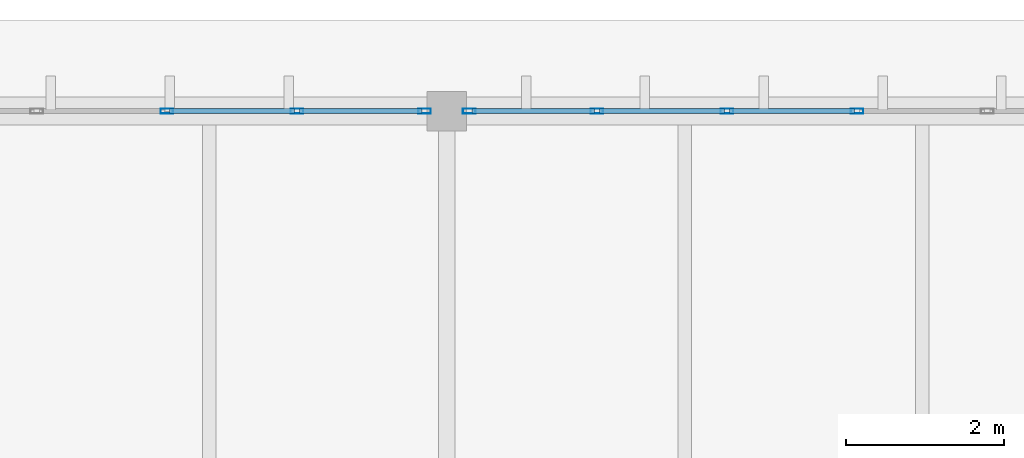
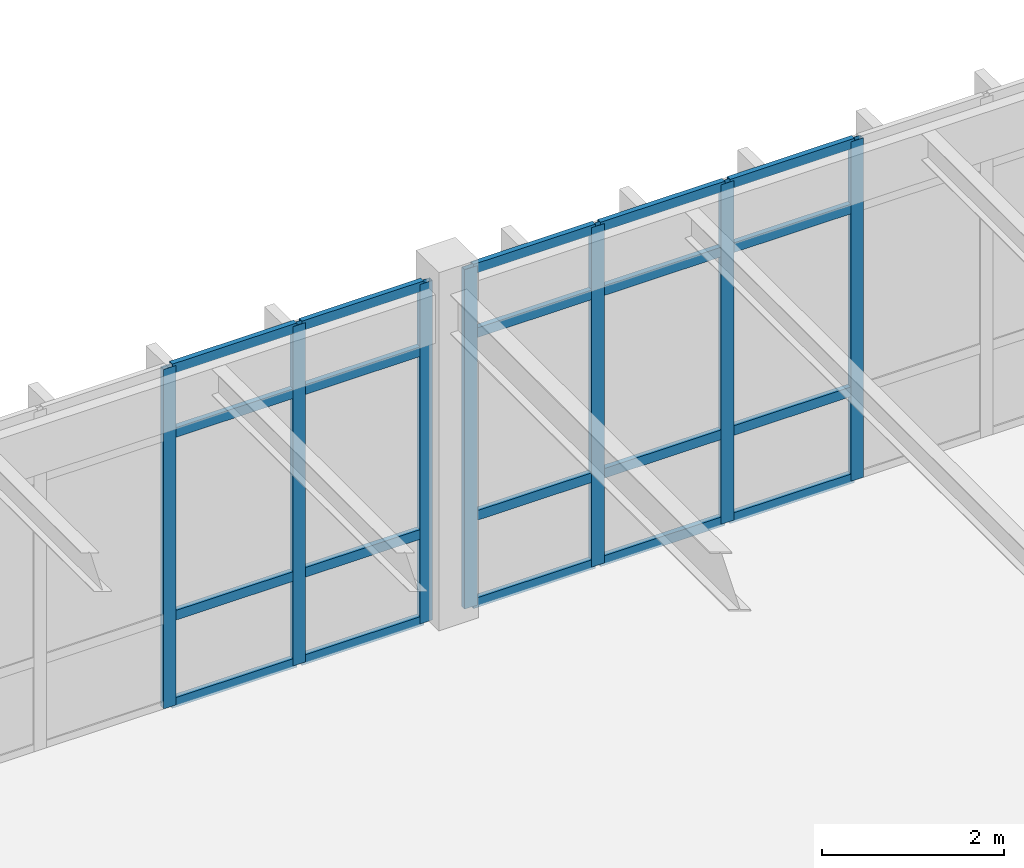
# One storey, part 178 of 236: 27 members, 2 elements without a shape of their own.
"""IFC4 building model written with IfcOpenShell, lengths in metres."""

from ifc_helpers import new_model, si_unit, direction, frame, origin, origin_2d, place, context, subcontext, project, spatial, hollow_rectangle, extrude, material, layer, layer_set, material_profile, profile_set, type_object, element, aggregate, save


model = new_model("IFC4")

# Units and contexts
model_context = context("Model", 3, precision=1e-05, world=origin(), true_north=direction((0.0, 1.0)))
body_context = subcontext(model_context, "Body", "Model", "MODEL_VIEW")
ifc_project = project(units=[si_unit("LENGTHUNIT", "METRE"), si_unit("AREAUNIT", "SQUARE_METRE"), si_unit("VOLUMEUNIT", "CUBIC_METRE"), si_unit("PLANEANGLEUNIT", "RADIAN"), si_unit("MASSUNIT", "GRAM", prefix="KILO")], contexts=[model_context])

# Site, building, storey
site_placement = place(None, origin())
site = spatial("IfcSite", under=ifc_project, at=site_placement, CompositionType="ELEMENT")
building_placement = place(site_placement, origin())
building = spatial("IfcBuilding", under=site, at=building_placement, Name="Pandanus Reach Market Hall", CompositionType="ELEMENT")
storey_placement = place(building_placement, frame((0.0, 0.0, 5.39990234375)))
storey = spatial("IfcBuildingStorey", under=building, at=storey_placement, Name="L01", CompositionType="ELEMENT", Elevation=5.39990234375)

# Curtain wall, members
ifc_material_1 = material(Name="Bronze anodised aluminium and low-E glass", Category="aluminium")
ifc_layer = layer(ifc_material_1, 0.159912109375, Name="CW-39")
ifc_layer_set = layer_set([ifc_layer], Name="Bronze anodised aluminium and low-E glass")
curtain_wall_type = type_object("IfcCurtainWallType", Name="CW-39", PredefinedType="NOTDEFINED", material=ifc_layer_set)
curtain_wall_1_placement = place(storey_placement, origin())
curtain_wall_1 = element("IfcCurtainWall", 1, at=curtain_wall_1_placement, inside=storey, type_object=curtain_wall_type, Name="Glazed curtain wall CW-39 CW-0144", PredefinedType="NOTDEFINED")
ifc_material_2 = material(Name="Bronze anodised aluminium", Category="aluminium")
ifc_material_profile_1 = material_profile(ifc_material_2, hollow_rectangle(XDim=0.06494140625, YDim=0.159912109375, WallThickness=0.00390625, at=origin_2d()), Name="ALU65x160", Category="LoadBearing")
ifc_profile_set_1 = profile_set([ifc_material_profile_1], Name="Bronze anodised aluminium")
member_type_1 = type_object("IfcMemberType", Name="CW-M1", PredefinedType="MULLION", material=ifc_profile_set_1)
member_1_placement = place(storey_placement, frame((128.46435546875, 120.0, 0.0), z_axis=(0.0, 0.0, 1.0), x_axis=(0.0, 1.0, 0.0)))
member_1 = element("IfcMember", 2, at=member_1_placement, type_object=member_type_1, Name="CW-39 mullion 6", PredefinedType="MULLION", context=body_context, shape_type="SweptSolid", body=[
    extrude(hollow_rectangle(XDim=0.06494140625, YDim=0.159912109375, WallThickness=0.00390625, at=origin_2d()), origin(), (0.0, 0.0, 1.0), 4.550048828125),
])
member_2_placement = place(storey_placement, frame((130.107177734375, 120.0, 0.0), z_axis=(0.0, 0.0, 1.0), x_axis=(0.0, 1.0, 0.0)))
member_2 = element("IfcMember", 3, at=member_2_placement, type_object=member_type_1, Name="CW-39 mullion 7", PredefinedType="MULLION", context=body_context, shape_type="SweptSolid", body=[
    extrude(hollow_rectangle(XDim=0.06494140625, YDim=0.159912109375, WallThickness=0.00390625, at=origin_2d()), origin(), (0.0, 0.0, 1.0), 4.550048828125),
])
member_3_placement = place(storey_placement, frame((131.717529296875, 120.0, 0.0), z_axis=(0.0, 0.0, 1.0), x_axis=(0.0, 1.0, 0.0)))
member_3 = element("IfcMember", 4, at=member_3_placement, type_object=member_type_1, Name="CW-39 mullion 8", PredefinedType="MULLION", context=body_context, shape_type="SweptSolid", body=[
    extrude(hollow_rectangle(XDim=0.06494140625, YDim=0.159912109375, WallThickness=0.00390625, at=origin_2d()), origin(), (0.0, 0.0, 1.0), 4.550048828125),
])

curtain_wall_2_placement = place(storey_placement, origin())
curtain_wall_2 = element("IfcCurtainWall", 5, at=curtain_wall_2_placement, inside=storey, type_object=curtain_wall_type, Name="Glazed curtain wall CW-39 CW-0146", PredefinedType="NOTDEFINED")
member_4_placement = place(storey_placement, frame((132.282470703125, 120.0, 0.0), z_axis=(0.0, 0.0, 1.0), x_axis=(0.0, 1.0, 0.0)))
member_4 = element("IfcMember", 6, at=member_4_placement, type_object=member_type_1, Name="CW-39 mullion 1", PredefinedType="MULLION", context=body_context, shape_type="SweptSolid", body=[
    extrude(hollow_rectangle(XDim=0.06494140625, YDim=0.159912109375, WallThickness=0.00390625, at=origin_2d()), origin(), (0.0, 0.0, 1.0), 4.550048828125),
])
member_5_placement = place(storey_placement, frame((133.892822265625, 120.0, 0.0), z_axis=(0.0, 0.0, 1.0), x_axis=(0.0, 1.0, 0.0)))
member_5 = element("IfcMember", 7, at=member_5_placement, type_object=member_type_1, Name="CW-39 mullion 2", PredefinedType="MULLION", context=body_context, shape_type="SweptSolid", body=[
    extrude(hollow_rectangle(XDim=0.06494140625, YDim=0.159912109375, WallThickness=0.00390625, at=origin_2d()), origin(), (0.0, 0.0, 1.0), 4.550048828125),
])
member_6_placement = place(storey_placement, frame((135.53564453125, 120.0, 0.0), z_axis=(0.0, 0.0, 1.0), x_axis=(0.0, 1.0, 0.0)))
member_6 = element("IfcMember", 8, at=member_6_placement, type_object=member_type_1, Name="CW-39 mullion 3", PredefinedType="MULLION", context=body_context, shape_type="SweptSolid", body=[
    extrude(hollow_rectangle(XDim=0.06494140625, YDim=0.159912109375, WallThickness=0.00390625, at=origin_2d()), origin(), (0.0, 0.0, 1.0), 4.550048828125),
])
member_7_placement = place(storey_placement, frame((137.178466796875, 120.0, 0.0), z_axis=(0.0, 0.0, 1.0), x_axis=(0.0, 1.0, 0.0)))
member_7 = element("IfcMember", 9, at=member_7_placement, type_object=member_type_1, Name="CW-39 mullion 4", PredefinedType="MULLION", context=body_context, shape_type="SweptSolid", body=[
    extrude(hollow_rectangle(XDim=0.06494140625, YDim=0.159912109375, WallThickness=0.00390625, at=origin_2d()), origin(), (0.0, 0.0, 1.0), 4.550048828125),
])

# Member
ifc_material_profile_2 = material_profile(ifc_material_2, hollow_rectangle(XDim=0.06494140625, YDim=0.1298828125, WallThickness=0.00390625, at=origin_2d()), Name="ALU65x130", Category="LoadBearing")
ifc_profile_set_2 = profile_set([ifc_material_profile_2], Name="Bronze anodised aluminium")
member_type_2 = type_object("IfcMemberType", Name="CW-T1", PredefinedType="USERDEFINED", material=ifc_profile_set_2)
member_8_placement = place(storey_placement, frame((128.496826171875, 120.0, 0.03271484375), z_axis=(1.0, 0.0, 0.0), x_axis=(0.0, 1.0, 0.0)))
member_8 = element("IfcMember", 10, at=member_8_placement, type_object=member_type_2, Name="CW-39 transom 6.1", ObjectType="TRANSOM", PredefinedType="USERDEFINED", context=body_context, shape_type="SweptSolid", body=[
    extrude(hollow_rectangle(XDim=0.06494140625, YDim=0.1298828125, WallThickness=0.00390625, at=origin_2d()), origin(), (0.0, 0.0, 1.0), 1.577880859375),
])

member_9_placement = place(storey_placement, frame((128.496826171875, 120.0, 1.2001953125), z_axis=(1.0, 0.0, 0.0), x_axis=(0.0, 1.0, 0.0)))
member_9 = element("IfcMember", 11, at=member_9_placement, type_object=member_type_2, Name="CW-39 transom 6.2", ObjectType="TRANSOM", PredefinedType="USERDEFINED", context=body_context, shape_type="SweptSolid", body=[
    extrude(hollow_rectangle(XDim=0.06494140625, YDim=0.1298828125, WallThickness=0.00390625, at=origin_2d()), origin(), (0.0, 0.0, 1.0), 1.577880859375),
])

member_10_placement = place(storey_placement, frame((128.496826171875, 120.0, 3.650146484375), z_axis=(1.0, 0.0, 0.0), x_axis=(0.0, 1.0, 0.0)))
member_10 = element("IfcMember", 12, at=member_10_placement, type_object=member_type_2, Name="CW-39 transom 6.3", ObjectType="TRANSOM", PredefinedType="USERDEFINED", context=body_context, shape_type="SweptSolid", body=[
    extrude(hollow_rectangle(XDim=0.06494140625, YDim=0.1298828125, WallThickness=0.00390625, at=origin_2d()), origin(), (0.0, 0.0, 1.0), 1.577880859375),
])

member_11_placement = place(storey_placement, frame((128.496826171875, 120.0, 4.517578125), z_axis=(1.0, 0.0, 0.0), x_axis=(0.0, 1.0, 0.0)))
member_11 = element("IfcMember", 13, at=member_11_placement, type_object=member_type_2, Name="CW-39 transom 6.4", ObjectType="TRANSOM", PredefinedType="USERDEFINED", context=body_context, shape_type="SweptSolid", body=[
    extrude(hollow_rectangle(XDim=0.06494140625, YDim=0.1298828125, WallThickness=0.00390625, at=origin_2d()), origin(), (0.0, 0.0, 1.0), 1.577880859375),
])

member_12_placement = place(storey_placement, frame((130.1396484375, 120.0, 0.03271484375), z_axis=(1.0, 0.0, 0.0), x_axis=(0.0, 1.0, 0.0)))
member_12 = element("IfcMember", 14, at=member_12_placement, type_object=member_type_2, Name="CW-39 transom 7.1", ObjectType="TRANSOM", PredefinedType="USERDEFINED", context=body_context, shape_type="SweptSolid", body=[
    extrude(hollow_rectangle(XDim=0.06494140625, YDim=0.1298828125, WallThickness=0.00390625, at=origin_2d()), origin(), (0.0, 0.0, 1.0), 1.54541015625),
])

member_13_placement = place(storey_placement, frame((130.1396484375, 120.0, 1.2001953125), z_axis=(1.0, 0.0, 0.0), x_axis=(0.0, 1.0, 0.0)))
member_13 = element("IfcMember", 15, at=member_13_placement, type_object=member_type_2, Name="CW-39 transom 7.2", ObjectType="TRANSOM", PredefinedType="USERDEFINED", context=body_context, shape_type="SweptSolid", body=[
    extrude(hollow_rectangle(XDim=0.06494140625, YDim=0.1298828125, WallThickness=0.00390625, at=origin_2d()), origin(), (0.0, 0.0, 1.0), 1.54541015625),
])

member_14_placement = place(storey_placement, frame((130.1396484375, 120.0, 3.650146484375), z_axis=(1.0, 0.0, 0.0), x_axis=(0.0, 1.0, 0.0)))
member_14 = element("IfcMember", 16, at=member_14_placement, type_object=member_type_2, Name="CW-39 transom 7.3", ObjectType="TRANSOM", PredefinedType="USERDEFINED", context=body_context, shape_type="SweptSolid", body=[
    extrude(hollow_rectangle(XDim=0.06494140625, YDim=0.1298828125, WallThickness=0.00390625, at=origin_2d()), origin(), (0.0, 0.0, 1.0), 1.54541015625),
])

member_15_placement = place(storey_placement, frame((130.1396484375, 120.0, 4.517578125), z_axis=(1.0, 0.0, 0.0), x_axis=(0.0, 1.0, 0.0)))
member_15 = element("IfcMember", 17, at=member_15_placement, type_object=member_type_2, Name="CW-39 transom 7.4", ObjectType="TRANSOM", PredefinedType="USERDEFINED", context=body_context, shape_type="SweptSolid", body=[
    extrude(hollow_rectangle(XDim=0.06494140625, YDim=0.1298828125, WallThickness=0.00390625, at=origin_2d()), origin(), (0.0, 0.0, 1.0), 1.54541015625),
])

aggregate(curtain_wall_1, [member_1, member_2, member_3, member_8, member_9, member_10, member_11, member_12, member_13, member_14, member_15])

member_16_placement = place(storey_placement, frame((132.31494140625, 120.0, 0.03271484375), z_axis=(1.0, 0.0, 0.0), x_axis=(0.0, 1.0, 0.0)))
member_16 = element("IfcMember", 18, at=member_16_placement, type_object=member_type_2, Name="CW-39 transom 1.1", ObjectType="TRANSOM", PredefinedType="USERDEFINED", context=body_context, shape_type="SweptSolid", body=[
    extrude(hollow_rectangle(XDim=0.06494140625, YDim=0.1298828125, WallThickness=0.00390625, at=origin_2d()), origin(), (0.0, 0.0, 1.0), 1.54541015625),
])

member_17_placement = place(storey_placement, frame((132.31494140625, 120.0, 1.2001953125), z_axis=(1.0, 0.0, 0.0), x_axis=(0.0, 1.0, 0.0)))
member_17 = element("IfcMember", 19, at=member_17_placement, type_object=member_type_2, Name="CW-39 transom 1.2", ObjectType="TRANSOM", PredefinedType="USERDEFINED", context=body_context, shape_type="SweptSolid", body=[
    extrude(hollow_rectangle(XDim=0.06494140625, YDim=0.1298828125, WallThickness=0.00390625, at=origin_2d()), origin(), (0.0, 0.0, 1.0), 1.54541015625),
])

member_18_placement = place(storey_placement, frame((132.31494140625, 120.0, 3.650146484375), z_axis=(1.0, 0.0, 0.0), x_axis=(0.0, 1.0, 0.0)))
member_18 = element("IfcMember", 20, at=member_18_placement, type_object=member_type_2, Name="CW-39 transom 1.3", ObjectType="TRANSOM", PredefinedType="USERDEFINED", context=body_context, shape_type="SweptSolid", body=[
    extrude(hollow_rectangle(XDim=0.06494140625, YDim=0.1298828125, WallThickness=0.00390625, at=origin_2d()), origin(), (0.0, 0.0, 1.0), 1.54541015625),
])

member_19_placement = place(storey_placement, frame((132.31494140625, 120.0, 4.517578125), z_axis=(1.0, 0.0, 0.0), x_axis=(0.0, 1.0, 0.0)))
member_19 = element("IfcMember", 21, at=member_19_placement, type_object=member_type_2, Name="CW-39 transom 1.4", ObjectType="TRANSOM", PredefinedType="USERDEFINED", context=body_context, shape_type="SweptSolid", body=[
    extrude(hollow_rectangle(XDim=0.06494140625, YDim=0.1298828125, WallThickness=0.00390625, at=origin_2d()), origin(), (0.0, 0.0, 1.0), 1.54541015625),
])

member_20_placement = place(storey_placement, frame((133.92529296875, 120.0, 0.03271484375), z_axis=(1.0, 0.0, 0.0), x_axis=(0.0, 1.0, 0.0)))
member_20 = element("IfcMember", 22, at=member_20_placement, type_object=member_type_2, Name="CW-39 transom 2.1", ObjectType="TRANSOM", PredefinedType="USERDEFINED", context=body_context, shape_type="SweptSolid", body=[
    extrude(hollow_rectangle(XDim=0.06494140625, YDim=0.1298828125, WallThickness=0.00390625, at=origin_2d()), origin(), (0.0, 0.0, 1.0), 1.577880859375),
])

member_21_placement = place(storey_placement, frame((133.92529296875, 120.0, 1.2001953125), z_axis=(1.0, 0.0, 0.0), x_axis=(0.0, 1.0, 0.0)))
member_21 = element("IfcMember", 23, at=member_21_placement, type_object=member_type_2, Name="CW-39 transom 2.2", ObjectType="TRANSOM", PredefinedType="USERDEFINED", context=body_context, shape_type="SweptSolid", body=[
    extrude(hollow_rectangle(XDim=0.06494140625, YDim=0.1298828125, WallThickness=0.00390625, at=origin_2d()), origin(), (0.0, 0.0, 1.0), 1.577880859375),
])

member_22_placement = place(storey_placement, frame((133.92529296875, 120.0, 3.650146484375), z_axis=(1.0, 0.0, 0.0), x_axis=(0.0, 1.0, 0.0)))
member_22 = element("IfcMember", 24, at=member_22_placement, type_object=member_type_2, Name="CW-39 transom 2.3", ObjectType="TRANSOM", PredefinedType="USERDEFINED", context=body_context, shape_type="SweptSolid", body=[
    extrude(hollow_rectangle(XDim=0.06494140625, YDim=0.1298828125, WallThickness=0.00390625, at=origin_2d()), origin(), (0.0, 0.0, 1.0), 1.577880859375),
])

member_23_placement = place(storey_placement, frame((133.92529296875, 120.0, 4.517578125), z_axis=(1.0, 0.0, 0.0), x_axis=(0.0, 1.0, 0.0)))
member_23 = element("IfcMember", 25, at=member_23_placement, type_object=member_type_2, Name="CW-39 transom 2.4", ObjectType="TRANSOM", PredefinedType="USERDEFINED", context=body_context, shape_type="SweptSolid", body=[
    extrude(hollow_rectangle(XDim=0.06494140625, YDim=0.1298828125, WallThickness=0.00390625, at=origin_2d()), origin(), (0.0, 0.0, 1.0), 1.577880859375),
])

member_24_placement = place(storey_placement, frame((135.568115234375, 120.0, 0.03271484375), z_axis=(1.0, 0.0, 0.0), x_axis=(0.0, 1.0, 0.0)))
member_24 = element("IfcMember", 26, at=member_24_placement, type_object=member_type_2, Name="CW-39 transom 3.1", ObjectType="TRANSOM", PredefinedType="USERDEFINED", context=body_context, shape_type="SweptSolid", body=[
    extrude(hollow_rectangle(XDim=0.06494140625, YDim=0.1298828125, WallThickness=0.00390625, at=origin_2d()), origin(), (0.0, 0.0, 1.0), 1.577880859375),
])

member_25_placement = place(storey_placement, frame((135.568115234375, 120.0, 1.2001953125), z_axis=(1.0, 0.0, 0.0), x_axis=(0.0, 1.0, 0.0)))
member_25 = element("IfcMember", 27, at=member_25_placement, type_object=member_type_2, Name="CW-39 transom 3.2", ObjectType="TRANSOM", PredefinedType="USERDEFINED", context=body_context, shape_type="SweptSolid", body=[
    extrude(hollow_rectangle(XDim=0.06494140625, YDim=0.1298828125, WallThickness=0.00390625, at=origin_2d()), origin(), (0.0, 0.0, 1.0), 1.577880859375),
])

member_26_placement = place(storey_placement, frame((135.568115234375, 120.0, 3.650146484375), z_axis=(1.0, 0.0, 0.0), x_axis=(0.0, 1.0, 0.0)))
member_26 = element("IfcMember", 28, at=member_26_placement, type_object=member_type_2, Name="CW-39 transom 3.3", ObjectType="TRANSOM", PredefinedType="USERDEFINED", context=body_context, shape_type="SweptSolid", body=[
    extrude(hollow_rectangle(XDim=0.06494140625, YDim=0.1298828125, WallThickness=0.00390625, at=origin_2d()), origin(), (0.0, 0.0, 1.0), 1.577880859375),
])

member_27_placement = place(storey_placement, frame((135.568115234375, 120.0, 4.517578125), z_axis=(1.0, 0.0, 0.0), x_axis=(0.0, 1.0, 0.0)))
member_27 = element("IfcMember", 29, at=member_27_placement, type_object=member_type_2, Name="CW-39 transom 3.4", ObjectType="TRANSOM", PredefinedType="USERDEFINED", context=body_context, shape_type="SweptSolid", body=[
    extrude(hollow_rectangle(XDim=0.06494140625, YDim=0.1298828125, WallThickness=0.00390625, at=origin_2d()), origin(), (0.0, 0.0, 1.0), 1.577880859375),
])

aggregate(curtain_wall_2, [member_4, member_5, member_6, member_7, member_16, member_17, member_18, member_19, member_20, member_21, member_22, member_23, member_24, member_25, member_26, member_27])

save(model, "model.ifc")
